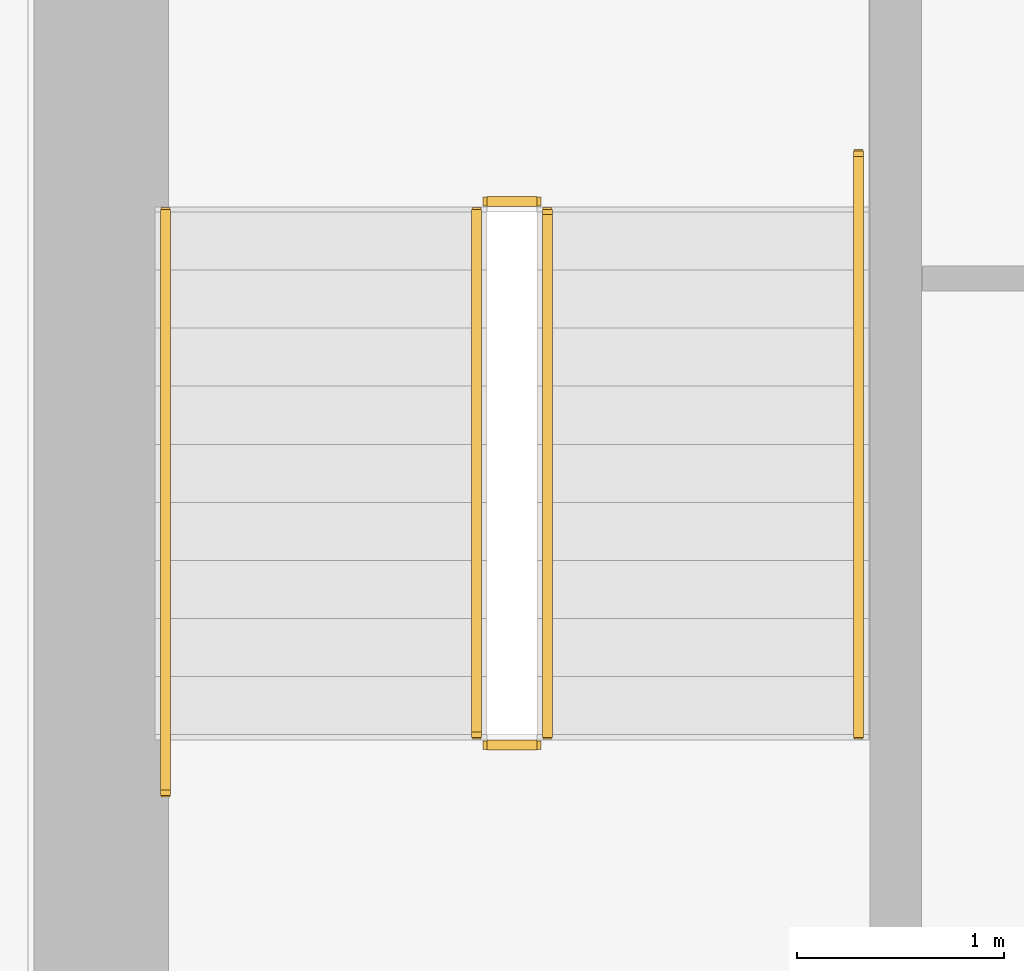
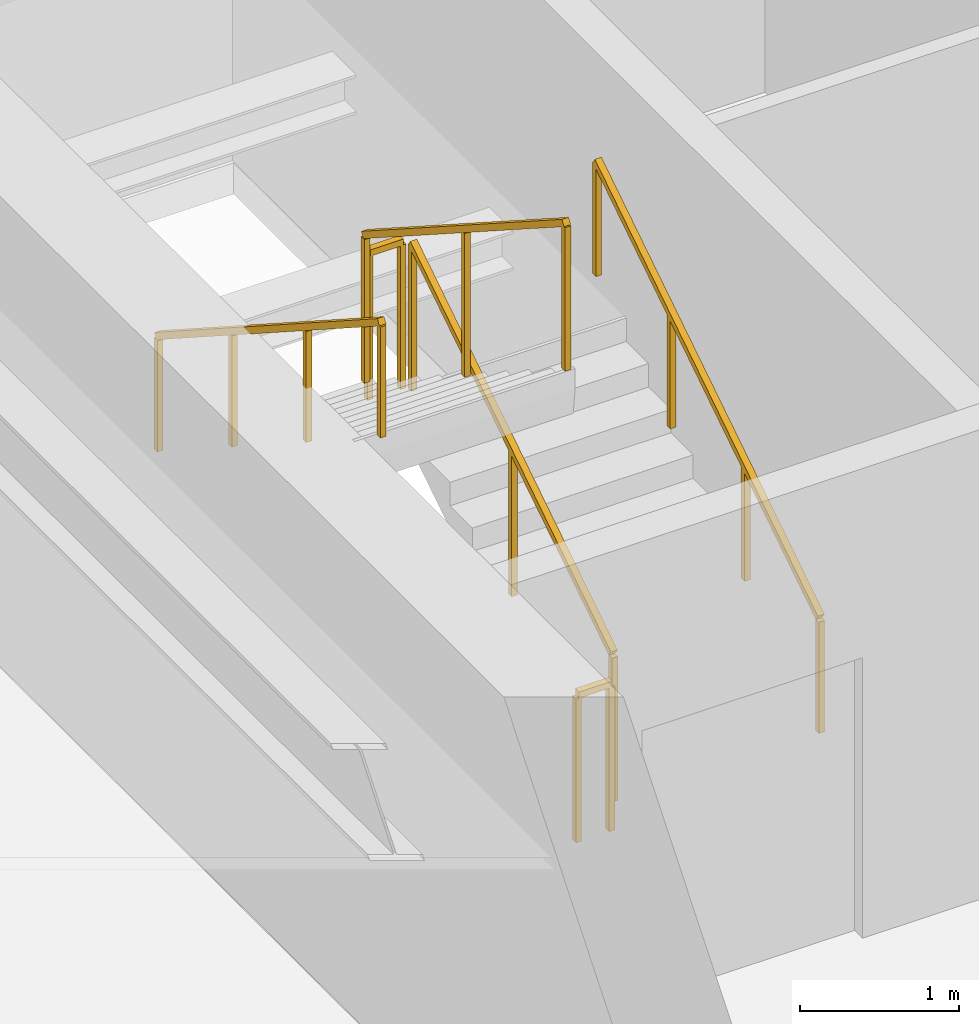
# One storey, part 31 of 34: 6 railings.
"""IFC4 building model written with IfcOpenShell, lengths in metres."""

from ifc_helpers import new_model, si_unit, direction, frame, origin, origin_2d, place, context, subcontext, project, spatial, rectangle, extrude, material, type_object, element, save


model = new_model("IFC4")

# Units and contexts
model_context = context("Model", 3, precision=1e-05, world=origin(), true_north=direction((0.0, 1.0)))
body_context = subcontext(model_context, "Body", "Model", "MODEL_VIEW")
ifc_project = project(units=[si_unit("LENGTHUNIT", "METRE"), si_unit("AREAUNIT", "SQUARE_METRE"), si_unit("VOLUMEUNIT", "CUBIC_METRE"), si_unit("PLANEANGLEUNIT", "RADIAN"), si_unit("MASSUNIT", "GRAM", prefix="KILO")], contexts=[model_context])

# Site, building, storey
site_placement = place(None, origin())
site = spatial("IfcSite", under=ifc_project, at=site_placement, CompositionType="ELEMENT")
building_placement = place(site_placement, origin())
building = spatial("IfcBuilding", under=site, at=building_placement, Name="Sumidabori Civic Tower", CompositionType="ELEMENT")
storey_placement = place(building_placement, frame((0.0, 0.0, 99.199951171875)))
storey = spatial("IfcBuildingStorey", under=building, at=storey_placement, Name="L25", CompositionType="ELEMENT", Elevation=99.199951171875)

# Railings
ifc_material_1 = material(Name="Stainless Steel Hairline Finish", Category="steel")
railing_type_1 = type_object("IfcRailingType", Name="RL-HANDRAIL", PredefinedType="HANDRAIL", material=ifc_material_1)
railing_1_placement = place(storey_placement, frame((-11.949951171875, 16.0, 0.179931640625)))
element("IfcRailing", 1, at=railing_1_placement, inside=storey, type_object=railing_type_1, Name="L25 ST-1 stair handrail 1", PredefinedType="HANDRAIL", context=body_context, shape_type="SweptSolid", body=[
    extrude(rectangle(XDim=0.048095703125, YDim=0.048095703125, at=origin_2d()), frame((0.0, 0.0, 0.8759765625), z_axis=(0.0, 0.84064222762, 0.54159084662), x_axis=(-1.0, 0.0, 0.0)), (0.0, 0.0, 1.0), 3.330810546875),
    extrude(rectangle(XDim=0.0419921875, YDim=0.0419921875, at=origin_2d()), origin(), (0.0, 0.0, 1.0), 0.851806640625),
    extrude(rectangle(XDim=0.0419921875, YDim=0.0419921875, at=origin_2d()), frame((0.0, 0.933349609375, 0.601318359375)), (0.0, 0.0, 1.0), 0.851806640625),
    extrude(rectangle(XDim=0.0419921875, YDim=0.0419921875, at=origin_2d()), frame((0.0, 1.86669921875, 1.20263671875)), (0.0, 0.0, 1.0), 0.851806640625),
    extrude(rectangle(XDim=0.0419921875, YDim=0.0419921875, at=origin_2d()), frame((0.0, 2.800048828125, 1.803955078125)), (0.0, 0.0, 1.0), 0.851806640625),
])
railing_2_placement = place(storey_placement, frame((-15.2900390625, 18.52001953125, 1.97998046875)))
element("IfcRailing", 2, at=railing_2_placement, inside=storey, type_object=railing_type_1, Name="L25 ST-1 stair handrail 2", PredefinedType="HANDRAIL", context=body_context, shape_type="SweptSolid", body=[
    extrude(rectangle(XDim=0.048095703125, YDim=0.048095703125, at=origin_2d()), frame((0.0, 0.0, 0.8759765625), z_axis=(0.0, -0.84064222762, 0.54159084662), x_axis=(1.0, 0.0, 0.0)), (0.0, 0.0, 1.0), 3.330810546875),
    extrude(rectangle(XDim=0.0419921875, YDim=0.0419921875, at=origin_2d()), origin(), (0.0, 0.0, 1.0), 0.851806640625),
    extrude(rectangle(XDim=0.0419921875, YDim=0.0419921875, at=origin_2d()), frame((0.0, -0.933349609375, 0.601318359375)), (0.0, 0.0, 1.0), 0.851806640625),
    extrude(rectangle(XDim=0.0419921875, YDim=0.0419921875, at=origin_2d()), frame((0.0, -1.86669921875, 1.20263671875)), (0.0, 0.0, 1.0), 0.851806640625),
    extrude(rectangle(XDim=0.0419921875, YDim=0.0419921875, at=origin_2d()), frame((0.0, -2.800048828125, 1.803955078125)), (0.0, 0.0, 1.0), 0.851806640625),
])
ifc_material_2 = material(Name="Steel SN490", Category="steel")
railing_type_2 = type_object("IfcRailingType", Name="RL-STAIR-GUARD", PredefinedType="GUARDRAIL", material=ifc_material_2)
railing_3_placement = place(storey_placement, frame((-13.449951171875, 16.0, 0.179931640625)))
element("IfcRailing", 3, at=railing_3_placement, inside=storey, type_object=railing_type_2, Name="L25 ST-1 stair guard 1", PredefinedType="GUARDRAIL", context=body_context, shape_type="SweptSolid", body=[
    extrude(rectangle(XDim=0.048095703125, YDim=0.048095703125, at=origin_2d()), frame((0.0, 0.0, 1.1259765625), z_axis=(0.0, 0.841162588446, 0.540782303519), x_axis=(-1.0, 0.0, 0.0)), (0.0, 0.0, 1.0), 2.995849609375),
    extrude(rectangle(XDim=0.0419921875, YDim=0.0419921875, at=origin_2d()), origin(), (0.0, 0.0, 1.0), 1.101806640625),
    extrude(rectangle(XDim=0.0419921875, YDim=0.0419921875, at=origin_2d()), frame((0.0, 1.260009765625, 0.81005859375)), (0.0, 0.0, 1.0), 1.101806640625),
    extrude(rectangle(XDim=0.0419921875, YDim=0.0419921875, at=origin_2d()), frame((0.0, 2.52001953125, 1.6201171875)), (0.0, 0.0, 1.0), 1.101806640625),
])
railing_4_placement = place(storey_placement, frame((-13.5, 18.570068359375, 1.800048828125)))
element("IfcRailing", 4, at=railing_4_placement, inside=storey, type_object=railing_type_2, Name="L25 ST-1 stair guard 2", PredefinedType="GUARDRAIL", context=body_context, shape_type="SweptSolid", body=[
    extrude(rectangle(XDim=0.048095703125, YDim=0.048095703125, at=origin_2d()), frame((0.0, 0.0, 1.1259765625), z_axis=(-1.0, 0.0, 0.0), x_axis=(0.0, -1.0, 0.0)), (0.0, 0.0, 1.0), 0.239990234375),
    extrude(rectangle(XDim=0.0419921875, YDim=0.0419921875, at=origin_2d()), origin(), (0.0, 0.0, 1.0), 1.101806640625),
    extrude(rectangle(XDim=0.0419921875, YDim=0.0419921875, at=origin_2d()), frame((-0.239990234375, 0.0, 0.0)), (0.0, 0.0, 1.0), 1.101806640625),
])
railing_5_placement = place(storey_placement, frame((-13.7900390625, 18.52001953125, 1.97998046875)))
element("IfcRailing", 5, at=railing_5_placement, inside=storey, type_object=railing_type_2, Name="L25 ST-1 stair guard 3", PredefinedType="GUARDRAIL", context=body_context, shape_type="SweptSolid", body=[
    extrude(rectangle(XDim=0.048095703125, YDim=0.048095703125, at=origin_2d()), frame((0.0, 0.0, 1.1259765625), z_axis=(0.0, -0.841162588446, 0.540782303519), x_axis=(1.0, 0.0, 0.0)), (0.0, 0.0, 1.0), 2.995849609375),
    extrude(rectangle(XDim=0.0419921875, YDim=0.0419921875, at=origin_2d()), origin(), (0.0, 0.0, 1.0), 1.101806640625),
    extrude(rectangle(XDim=0.0419921875, YDim=0.0419921875, at=origin_2d()), frame((0.0, -1.260009765625, 0.81005859375)), (0.0, 0.0, 1.0), 1.101806640625),
    extrude(rectangle(XDim=0.0419921875, YDim=0.0419921875, at=origin_2d()), frame((0.0, -2.52001953125, 1.6201171875)), (0.0, 0.0, 1.0), 1.101806640625),
])
railing_6_placement = place(storey_placement, frame((-13.5, 15.949951171875, 0.0)))
element("IfcRailing", 6, at=railing_6_placement, inside=storey, type_object=railing_type_2, Name="L25 ST-1 stair guard 4", PredefinedType="GUARDRAIL", context=body_context, shape_type="SweptSolid", body=[
    extrude(rectangle(XDim=0.048095703125, YDim=0.048095703125, at=origin_2d()), frame((0.0, 0.0, 1.1259765625), z_axis=(-1.0, 0.0, 0.0), x_axis=(0.0, -1.0, 0.0)), (0.0, 0.0, 1.0), 0.239990234375),
    extrude(rectangle(XDim=0.0419921875, YDim=0.0419921875, at=origin_2d()), origin(), (0.0, 0.0, 1.0), 1.101806640625),
    extrude(rectangle(XDim=0.0419921875, YDim=0.0419921875, at=origin_2d()), frame((-0.239990234375, 0.0, 0.0)), (0.0, 0.0, 1.0), 1.101806640625),
])

save(model, "model.ifc")
